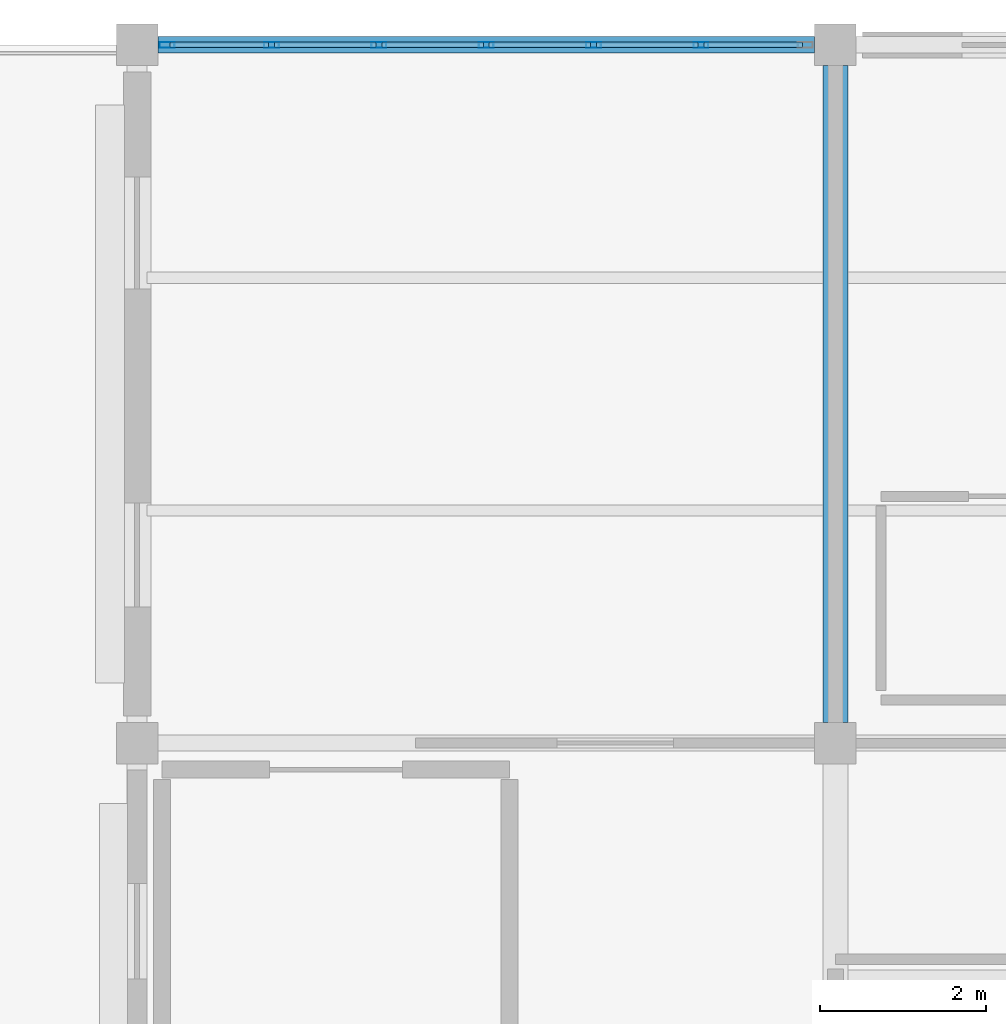
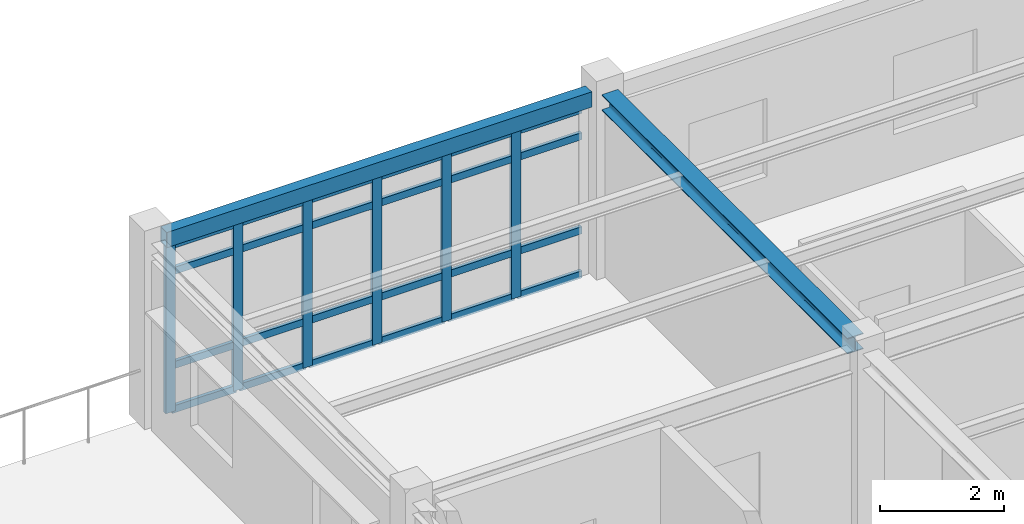
# One storey, part 23 of 70: 30 members, 2 beams, 1 element without a shape of its own.
"""IFC4 building model written with IfcOpenShell, lengths in metres."""

from ifc_helpers import new_model, si_unit, direction, frame, origin, origin_2d, place, context, subcontext, project, spatial, hollow_rectangle, i_section, extrude, material, layer, layer_set, material_profile, profile_set, type_object, element, aggregate, save


model = new_model("IFC4")

# Units and contexts
model_context = context("Model", 3, precision=1e-05, world=origin(), true_north=direction((0.0, 1.0)))
body_context = subcontext(model_context, "Body", "Model", "MODEL_VIEW")
ifc_project = project(units=[si_unit("LENGTHUNIT", "METRE"), si_unit("AREAUNIT", "SQUARE_METRE"), si_unit("VOLUMEUNIT", "CUBIC_METRE"), si_unit("PLANEANGLEUNIT", "RADIAN"), si_unit("MASSUNIT", "GRAM", prefix="KILO")], contexts=[model_context])

# Site, building, storey
site_placement = place(None, origin())
site = spatial("IfcSite", under=ifc_project, at=site_placement, CompositionType="ELEMENT")
building_placement = place(site_placement, origin())
building = spatial("IfcBuilding", under=site, at=building_placement, Name="Bramfleet General Hospital", CompositionType="ELEMENT")
storey_placement = place(building_placement, frame((0.0, 0.0, 22.5)))
storey = spatial("IfcBuildingStorey", under=building, at=storey_placement, Name="L05", CompositionType="ELEMENT", Elevation=22.5)

# Beams
ifc_material_1 = material(Name="Steel S355", Category="steel")
ifc_material_profile_1 = material_profile(ifc_material_1, i_section(OverallWidth=0.300048828125, OverallDepth=0.31005859375, WebThickness=0.009033203125, FlangeThickness=0.015380859375, FilletRadius=0.027099609375, at=origin_2d()), Name="HEA 320")
ifc_profile_set_1 = profile_set([ifc_material_profile_1], Name="Steel S355")
beam_type_1 = type_object("IfcBeamType", Name="BM-HEA320", PredefinedType="BEAM", material=ifc_profile_set_1)
beam_1_placement = place(storey_placement, frame((58.800048828125, 109.449951171875, 3.455078125), z_axis=(0.0, 1.0, 0.0), x_axis=(-1.0, 0.0, 0.0)))
element("IfcBeam", 1, at=beam_1_placement, inside=storey, type_object=beam_type_1, Name="L05 Grid Beam Y 07-13", PredefinedType="BEAM", context=body_context, shape_type="SweptSolid", body=[
    extrude(i_section(OverallWidth=0.300048828125, OverallDepth=0.31005859375, WebThickness=0.009033203125, FlangeThickness=0.015380859375, FilletRadius=0.027099609375, at=origin_2d()), origin(), (0.0, 0.0, 1.0), 7.900146484375),
])
ifc_material_profile_2 = material_profile(ifc_material_1, hollow_rectangle(XDim=0.199951171875, YDim=0.300048828125, WallThickness=0.012451171875, at=origin_2d()), Name="RHS 300x200x12.5")
ifc_profile_set_2 = profile_set([ifc_material_profile_2], Name="Steel S355")
beam_type_2 = type_object("IfcBeamType", Name="BM-RHS300", PredefinedType="SPANDREL", material=ifc_profile_set_2)
beam_2_placement = place(storey_placement, frame((50.64990234375, 117.60009765625, 3.4599609375), z_axis=(1.0, 0.0, 0.0), x_axis=(0.0, 1.0, 0.0)))
element("IfcBeam", 2, at=beam_2_placement, inside=storey, type_object=beam_type_2, Name="L05 Grid Beam X 06-14", PredefinedType="SPANDREL", context=body_context, shape_type="SweptSolid", body=[
    extrude(hollow_rectangle(XDim=0.199951171875, YDim=0.300048828125, WallThickness=0.012451171875, at=origin_2d()), origin(), (0.0, 0.0, 1.0), 7.900146484375),
])

# Curtain wall, members
ifc_material_2 = material(Name="Anodised aluminium and low-E triple glazing", Category="aluminium")
ifc_layer = layer(ifc_material_2, 0.179931640625, Name="CWT-CW-04")
ifc_layer_set = layer_set([ifc_layer], Name="Anodised aluminium and low-E triple glazing")
curtain_wall_type = type_object("IfcCurtainWallType", Name="CWT-CW-04", PredefinedType="USERDEFINED", material=ifc_layer_set)
curtain_wall_placement = place(storey_placement, origin())
curtain_wall = element("IfcCurtainWall", 3, at=curtain_wall_placement, inside=storey, type_object=curtain_wall_type, Name="L05 Curtain Wall 202", ObjectType="Unitised curtain wall", PredefinedType="USERDEFINED")
ifc_material_3 = material(Name="Anodised aluminium EN AW-6060", Category="aluminium")
ifc_material_profile_3 = material_profile(ifc_material_3, hollow_rectangle(XDim=0.070068359375, YDim=0.179931640625, WallThickness=0.00390625, at=origin_2d()), Name="ALU 180x70x4.0")
ifc_profile_set_3 = profile_set([ifc_material_profile_3], Name="Anodised aluminium EN AW-6060")
member_type_1 = type_object("IfcMemberType", Name="CWM-ALU180", PredefinedType="MULLION", material=ifc_profile_set_3)
member_1_placement = place(storey_placement, frame((50.760009765625, 117.60009765625, 0.0), z_axis=(0.0, 0.0, 1.0), x_axis=(0.0, 1.0, 0.0)))
member_1 = element("IfcMember", 4, at=member_1_placement, type_object=member_type_1, Name="CW-04 mullion 1", PredefinedType="MULLION", context=body_context, shape_type="SweptSolid", body=[
    extrude(hollow_rectangle(XDim=0.070068359375, YDim=0.179931640625, WallThickness=0.00390625, at=origin_2d()), origin(), (0.0, 0.0, 1.0), 3.300048828125),
])
member_2_placement = place(storey_placement, frame((52.0166015625, 117.60009765625, 0.0), z_axis=(0.0, 0.0, 1.0), x_axis=(0.0, 1.0, 0.0)))
member_2 = element("IfcMember", 5, at=member_2_placement, type_object=member_type_1, Name="CW-04 mullion 2", PredefinedType="MULLION", context=body_context, shape_type="SweptSolid", body=[
    extrude(hollow_rectangle(XDim=0.070068359375, YDim=0.179931640625, WallThickness=0.00390625, at=origin_2d()), origin(), (0.0, 0.0, 1.0), 3.300048828125),
])
member_3_placement = place(storey_placement, frame((53.308349609375, 117.60009765625, 0.0), z_axis=(0.0, 0.0, 1.0), x_axis=(0.0, 1.0, 0.0)))
member_3 = element("IfcMember", 6, at=member_3_placement, type_object=member_type_1, Name="CW-04 mullion 3", PredefinedType="MULLION", context=body_context, shape_type="SweptSolid", body=[
    extrude(hollow_rectangle(XDim=0.070068359375, YDim=0.179931640625, WallThickness=0.00390625, at=origin_2d()), origin(), (0.0, 0.0, 1.0), 3.300048828125),
])
member_4_placement = place(storey_placement, frame((54.60009765625, 117.60009765625, 0.0), z_axis=(0.0, 0.0, 1.0), x_axis=(0.0, 1.0, 0.0)))
member_4 = element("IfcMember", 7, at=member_4_placement, type_object=member_type_1, Name="CW-04 mullion 4", PredefinedType="MULLION", context=body_context, shape_type="SweptSolid", body=[
    extrude(hollow_rectangle(XDim=0.070068359375, YDim=0.179931640625, WallThickness=0.00390625, at=origin_2d()), origin(), (0.0, 0.0, 1.0), 3.300048828125),
])
member_5_placement = place(storey_placement, frame((55.8916015625, 117.60009765625, 0.0), z_axis=(0.0, 0.0, 1.0), x_axis=(0.0, 1.0, 0.0)))
member_5 = element("IfcMember", 8, at=member_5_placement, type_object=member_type_1, Name="CW-04 mullion 5", PredefinedType="MULLION", context=body_context, shape_type="SweptSolid", body=[
    extrude(hollow_rectangle(XDim=0.070068359375, YDim=0.179931640625, WallThickness=0.00390625, at=origin_2d()), origin(), (0.0, 0.0, 1.0), 3.300048828125),
])
member_6_placement = place(storey_placement, frame((57.183349609375, 117.60009765625, 0.0), z_axis=(0.0, 0.0, 1.0), x_axis=(0.0, 1.0, 0.0)))
member_6 = element("IfcMember", 9, at=member_6_placement, type_object=member_type_1, Name="CW-04 mullion 6", PredefinedType="MULLION", context=body_context, shape_type="SweptSolid", body=[
    extrude(hollow_rectangle(XDim=0.070068359375, YDim=0.179931640625, WallThickness=0.00390625, at=origin_2d()), origin(), (0.0, 0.0, 1.0), 3.300048828125),
])
ifc_material_profile_4 = material_profile(ifc_material_3, hollow_rectangle(XDim=0.06494140625, YDim=0.139892578125, WallThickness=0.00390625, at=origin_2d()), Name="ALU 140x65x4.0")
ifc_profile_set_4 = profile_set([ifc_material_profile_4], Name="Anodised aluminium EN AW-6060")
member_type_2 = type_object("IfcMemberType", Name="CWT-ALU140", PredefinedType="USERDEFINED", material=ifc_profile_set_4)
member_7_placement = place(storey_placement, frame((50.794921875, 117.60009765625, 0.032470703125), z_axis=(1.0, 0.0, 0.0), x_axis=(0.0, 1.0, 0.0)))
member_7 = element("IfcMember", 10, at=member_7_placement, type_object=member_type_2, Name="CW-04 transom 1.1", ObjectType="TRANSOM", PredefinedType="USERDEFINED", context=body_context, shape_type="SweptSolid", body=[
    extrude(hollow_rectangle(XDim=0.06494140625, YDim=0.139892578125, WallThickness=0.00390625, at=origin_2d()), origin(), (0.0, 0.0, 1.0), 1.186767578125),
])
member_8_placement = place(storey_placement, frame((50.794921875, 117.60009765625, 0.89990234375), z_axis=(1.0, 0.0, 0.0), x_axis=(0.0, 1.0, 0.0)))
member_8 = element("IfcMember", 11, at=member_8_placement, type_object=member_type_2, Name="CW-04 transom 1.2", ObjectType="TRANSOM", PredefinedType="USERDEFINED", context=body_context, shape_type="SweptSolid", body=[
    extrude(hollow_rectangle(XDim=0.06494140625, YDim=0.139892578125, WallThickness=0.00390625, at=origin_2d()), origin(), (0.0, 0.0, 1.0), 1.186767578125),
])
member_9_placement = place(storey_placement, frame((50.794921875, 117.60009765625, 2.75), z_axis=(1.0, 0.0, 0.0), x_axis=(0.0, 1.0, 0.0)))
member_9 = element("IfcMember", 12, at=member_9_placement, type_object=member_type_2, Name="CW-04 transom 1.3", ObjectType="TRANSOM", PredefinedType="USERDEFINED", context=body_context, shape_type="SweptSolid", body=[
    extrude(hollow_rectangle(XDim=0.06494140625, YDim=0.139892578125, WallThickness=0.00390625, at=origin_2d()), origin(), (0.0, 0.0, 1.0), 1.186767578125),
])
member_10_placement = place(storey_placement, frame((50.794921875, 117.60009765625, 3.267578125), z_axis=(1.0, 0.0, 0.0), x_axis=(0.0, 1.0, 0.0)))
member_10 = element("IfcMember", 13, at=member_10_placement, type_object=member_type_2, Name="CW-04 transom 1.4", ObjectType="TRANSOM", PredefinedType="USERDEFINED", context=body_context, shape_type="SweptSolid", body=[
    extrude(hollow_rectangle(XDim=0.06494140625, YDim=0.139892578125, WallThickness=0.00390625, at=origin_2d()), origin(), (0.0, 0.0, 1.0), 1.186767578125),
])
member_11_placement = place(storey_placement, frame((52.0517578125, 117.60009765625, 0.032470703125), z_axis=(1.0, 0.0, 0.0), x_axis=(0.0, 1.0, 0.0)))
member_11 = element("IfcMember", 14, at=member_11_placement, type_object=member_type_2, Name="CW-04 transom 2.1", ObjectType="TRANSOM", PredefinedType="USERDEFINED", context=body_context, shape_type="SweptSolid", body=[
    extrude(hollow_rectangle(XDim=0.06494140625, YDim=0.139892578125, WallThickness=0.00390625, at=origin_2d()), origin(), (0.0, 0.0, 1.0), 1.2216796875),
])
member_12_placement = place(storey_placement, frame((52.0517578125, 117.60009765625, 0.89990234375), z_axis=(1.0, 0.0, 0.0), x_axis=(0.0, 1.0, 0.0)))
member_12 = element("IfcMember", 15, at=member_12_placement, type_object=member_type_2, Name="CW-04 transom 2.2", ObjectType="TRANSOM", PredefinedType="USERDEFINED", context=body_context, shape_type="SweptSolid", body=[
    extrude(hollow_rectangle(XDim=0.06494140625, YDim=0.139892578125, WallThickness=0.00390625, at=origin_2d()), origin(), (0.0, 0.0, 1.0), 1.2216796875),
])
member_13_placement = place(storey_placement, frame((52.0517578125, 117.60009765625, 2.75), z_axis=(1.0, 0.0, 0.0), x_axis=(0.0, 1.0, 0.0)))
member_13 = element("IfcMember", 16, at=member_13_placement, type_object=member_type_2, Name="CW-04 transom 2.3", ObjectType="TRANSOM", PredefinedType="USERDEFINED", context=body_context, shape_type="SweptSolid", body=[
    extrude(hollow_rectangle(XDim=0.06494140625, YDim=0.139892578125, WallThickness=0.00390625, at=origin_2d()), origin(), (0.0, 0.0, 1.0), 1.2216796875),
])
member_14_placement = place(storey_placement, frame((52.0517578125, 117.60009765625, 3.267578125), z_axis=(1.0, 0.0, 0.0), x_axis=(0.0, 1.0, 0.0)))
member_14 = element("IfcMember", 17, at=member_14_placement, type_object=member_type_2, Name="CW-04 transom 2.4", ObjectType="TRANSOM", PredefinedType="USERDEFINED", context=body_context, shape_type="SweptSolid", body=[
    extrude(hollow_rectangle(XDim=0.06494140625, YDim=0.139892578125, WallThickness=0.00390625, at=origin_2d()), origin(), (0.0, 0.0, 1.0), 1.2216796875),
])
member_15_placement = place(storey_placement, frame((53.34326171875, 117.60009765625, 0.032470703125), z_axis=(1.0, 0.0, 0.0), x_axis=(0.0, 1.0, 0.0)))
member_15 = element("IfcMember", 18, at=member_15_placement, type_object=member_type_2, Name="CW-04 transom 3.1", ObjectType="TRANSOM", PredefinedType="USERDEFINED", context=body_context, shape_type="SweptSolid", body=[
    extrude(hollow_rectangle(XDim=0.06494140625, YDim=0.139892578125, WallThickness=0.00390625, at=origin_2d()), origin(), (0.0, 0.0, 1.0), 1.2216796875),
])
member_16_placement = place(storey_placement, frame((53.34326171875, 117.60009765625, 0.89990234375), z_axis=(1.0, 0.0, 0.0), x_axis=(0.0, 1.0, 0.0)))
member_16 = element("IfcMember", 19, at=member_16_placement, type_object=member_type_2, Name="CW-04 transom 3.2", ObjectType="TRANSOM", PredefinedType="USERDEFINED", context=body_context, shape_type="SweptSolid", body=[
    extrude(hollow_rectangle(XDim=0.06494140625, YDim=0.139892578125, WallThickness=0.00390625, at=origin_2d()), origin(), (0.0, 0.0, 1.0), 1.2216796875),
])
member_17_placement = place(storey_placement, frame((53.34326171875, 117.60009765625, 2.75), z_axis=(1.0, 0.0, 0.0), x_axis=(0.0, 1.0, 0.0)))
member_17 = element("IfcMember", 20, at=member_17_placement, type_object=member_type_2, Name="CW-04 transom 3.3", ObjectType="TRANSOM", PredefinedType="USERDEFINED", context=body_context, shape_type="SweptSolid", body=[
    extrude(hollow_rectangle(XDim=0.06494140625, YDim=0.139892578125, WallThickness=0.00390625, at=origin_2d()), origin(), (0.0, 0.0, 1.0), 1.2216796875),
])
member_18_placement = place(storey_placement, frame((53.34326171875, 117.60009765625, 3.267578125), z_axis=(1.0, 0.0, 0.0), x_axis=(0.0, 1.0, 0.0)))
member_18 = element("IfcMember", 21, at=member_18_placement, type_object=member_type_2, Name="CW-04 transom 3.4", ObjectType="TRANSOM", PredefinedType="USERDEFINED", context=body_context, shape_type="SweptSolid", body=[
    extrude(hollow_rectangle(XDim=0.06494140625, YDim=0.139892578125, WallThickness=0.00390625, at=origin_2d()), origin(), (0.0, 0.0, 1.0), 1.2216796875),
])
member_19_placement = place(storey_placement, frame((54.635009765625, 117.60009765625, 0.032470703125), z_axis=(1.0, 0.0, 0.0), x_axis=(0.0, 1.0, 0.0)))
member_19 = element("IfcMember", 22, at=member_19_placement, type_object=member_type_2, Name="CW-04 transom 4.1", ObjectType="TRANSOM", PredefinedType="USERDEFINED", context=body_context, shape_type="SweptSolid", body=[
    extrude(hollow_rectangle(XDim=0.06494140625, YDim=0.139892578125, WallThickness=0.00390625, at=origin_2d()), origin(), (0.0, 0.0, 1.0), 1.2216796875),
])
member_20_placement = place(storey_placement, frame((54.635009765625, 117.60009765625, 0.89990234375), z_axis=(1.0, 0.0, 0.0), x_axis=(0.0, 1.0, 0.0)))
member_20 = element("IfcMember", 23, at=member_20_placement, type_object=member_type_2, Name="CW-04 transom 4.2", ObjectType="TRANSOM", PredefinedType="USERDEFINED", context=body_context, shape_type="SweptSolid", body=[
    extrude(hollow_rectangle(XDim=0.06494140625, YDim=0.139892578125, WallThickness=0.00390625, at=origin_2d()), origin(), (0.0, 0.0, 1.0), 1.2216796875),
])
member_21_placement = place(storey_placement, frame((54.635009765625, 117.60009765625, 2.75), z_axis=(1.0, 0.0, 0.0), x_axis=(0.0, 1.0, 0.0)))
member_21 = element("IfcMember", 24, at=member_21_placement, type_object=member_type_2, Name="CW-04 transom 4.3", ObjectType="TRANSOM", PredefinedType="USERDEFINED", context=body_context, shape_type="SweptSolid", body=[
    extrude(hollow_rectangle(XDim=0.06494140625, YDim=0.139892578125, WallThickness=0.00390625, at=origin_2d()), origin(), (0.0, 0.0, 1.0), 1.2216796875),
])
member_22_placement = place(storey_placement, frame((54.635009765625, 117.60009765625, 3.267578125), z_axis=(1.0, 0.0, 0.0), x_axis=(0.0, 1.0, 0.0)))
member_22 = element("IfcMember", 25, at=member_22_placement, type_object=member_type_2, Name="CW-04 transom 4.4", ObjectType="TRANSOM", PredefinedType="USERDEFINED", context=body_context, shape_type="SweptSolid", body=[
    extrude(hollow_rectangle(XDim=0.06494140625, YDim=0.139892578125, WallThickness=0.00390625, at=origin_2d()), origin(), (0.0, 0.0, 1.0), 1.2216796875),
])
member_23_placement = place(storey_placement, frame((55.9267578125, 117.60009765625, 0.032470703125), z_axis=(1.0, 0.0, 0.0), x_axis=(0.0, 1.0, 0.0)))
member_23 = element("IfcMember", 26, at=member_23_placement, type_object=member_type_2, Name="CW-04 transom 5.1", ObjectType="TRANSOM", PredefinedType="USERDEFINED", context=body_context, shape_type="SweptSolid", body=[
    extrude(hollow_rectangle(XDim=0.06494140625, YDim=0.139892578125, WallThickness=0.00390625, at=origin_2d()), origin(), (0.0, 0.0, 1.0), 1.2216796875),
])
member_24_placement = place(storey_placement, frame((55.9267578125, 117.60009765625, 0.89990234375), z_axis=(1.0, 0.0, 0.0), x_axis=(0.0, 1.0, 0.0)))
member_24 = element("IfcMember", 27, at=member_24_placement, type_object=member_type_2, Name="CW-04 transom 5.2", ObjectType="TRANSOM", PredefinedType="USERDEFINED", context=body_context, shape_type="SweptSolid", body=[
    extrude(hollow_rectangle(XDim=0.06494140625, YDim=0.139892578125, WallThickness=0.00390625, at=origin_2d()), origin(), (0.0, 0.0, 1.0), 1.2216796875),
])
member_25_placement = place(storey_placement, frame((55.9267578125, 117.60009765625, 2.75), z_axis=(1.0, 0.0, 0.0), x_axis=(0.0, 1.0, 0.0)))
member_25 = element("IfcMember", 28, at=member_25_placement, type_object=member_type_2, Name="CW-04 transom 5.3", ObjectType="TRANSOM", PredefinedType="USERDEFINED", context=body_context, shape_type="SweptSolid", body=[
    extrude(hollow_rectangle(XDim=0.06494140625, YDim=0.139892578125, WallThickness=0.00390625, at=origin_2d()), origin(), (0.0, 0.0, 1.0), 1.2216796875),
])
member_26_placement = place(storey_placement, frame((55.9267578125, 117.60009765625, 3.267578125), z_axis=(1.0, 0.0, 0.0), x_axis=(0.0, 1.0, 0.0)))
member_26 = element("IfcMember", 29, at=member_26_placement, type_object=member_type_2, Name="CW-04 transom 5.4", ObjectType="TRANSOM", PredefinedType="USERDEFINED", context=body_context, shape_type="SweptSolid", body=[
    extrude(hollow_rectangle(XDim=0.06494140625, YDim=0.139892578125, WallThickness=0.00390625, at=origin_2d()), origin(), (0.0, 0.0, 1.0), 1.2216796875),
])
member_27_placement = place(storey_placement, frame((57.21826171875, 117.60009765625, 0.032470703125), z_axis=(1.0, 0.0, 0.0), x_axis=(0.0, 1.0, 0.0)))
member_27 = element("IfcMember", 30, at=member_27_placement, type_object=member_type_2, Name="CW-04 transom 6.1", ObjectType="TRANSOM", PredefinedType="USERDEFINED", context=body_context, shape_type="SweptSolid", body=[
    extrude(hollow_rectangle(XDim=0.06494140625, YDim=0.139892578125, WallThickness=0.00390625, at=origin_2d()), origin(), (0.0, 0.0, 1.0), 1.186767578125),
])
member_28_placement = place(storey_placement, frame((57.21826171875, 117.60009765625, 0.89990234375), z_axis=(1.0, 0.0, 0.0), x_axis=(0.0, 1.0, 0.0)))
member_28 = element("IfcMember", 31, at=member_28_placement, type_object=member_type_2, Name="CW-04 transom 6.2", ObjectType="TRANSOM", PredefinedType="USERDEFINED", context=body_context, shape_type="SweptSolid", body=[
    extrude(hollow_rectangle(XDim=0.06494140625, YDim=0.139892578125, WallThickness=0.00390625, at=origin_2d()), origin(), (0.0, 0.0, 1.0), 1.186767578125),
])
member_29_placement = place(storey_placement, frame((57.21826171875, 117.60009765625, 2.75), z_axis=(1.0, 0.0, 0.0), x_axis=(0.0, 1.0, 0.0)))
member_29 = element("IfcMember", 32, at=member_29_placement, type_object=member_type_2, Name="CW-04 transom 6.3", ObjectType="TRANSOM", PredefinedType="USERDEFINED", context=body_context, shape_type="SweptSolid", body=[
    extrude(hollow_rectangle(XDim=0.06494140625, YDim=0.139892578125, WallThickness=0.00390625, at=origin_2d()), origin(), (0.0, 0.0, 1.0), 1.186767578125),
])
member_30_placement = place(storey_placement, frame((57.21826171875, 117.60009765625, 3.267578125), z_axis=(1.0, 0.0, 0.0), x_axis=(0.0, 1.0, 0.0)))
member_30 = element("IfcMember", 33, at=member_30_placement, type_object=member_type_2, Name="CW-04 transom 6.4", ObjectType="TRANSOM", PredefinedType="USERDEFINED", context=body_context, shape_type="SweptSolid", body=[
    extrude(hollow_rectangle(XDim=0.06494140625, YDim=0.139892578125, WallThickness=0.00390625, at=origin_2d()), origin(), (0.0, 0.0, 1.0), 1.186767578125),
])
aggregate(curtain_wall, [member_1, member_2, member_3, member_4, member_5, member_6, member_7, member_8, member_9, member_10, member_11, member_12, member_13, member_14, member_15, member_16, member_17, member_18, member_19, member_20, member_21, member_22, member_23, member_24, member_25, member_26, member_27, member_28, member_29, member_30])

save(model, "model.ifc")
